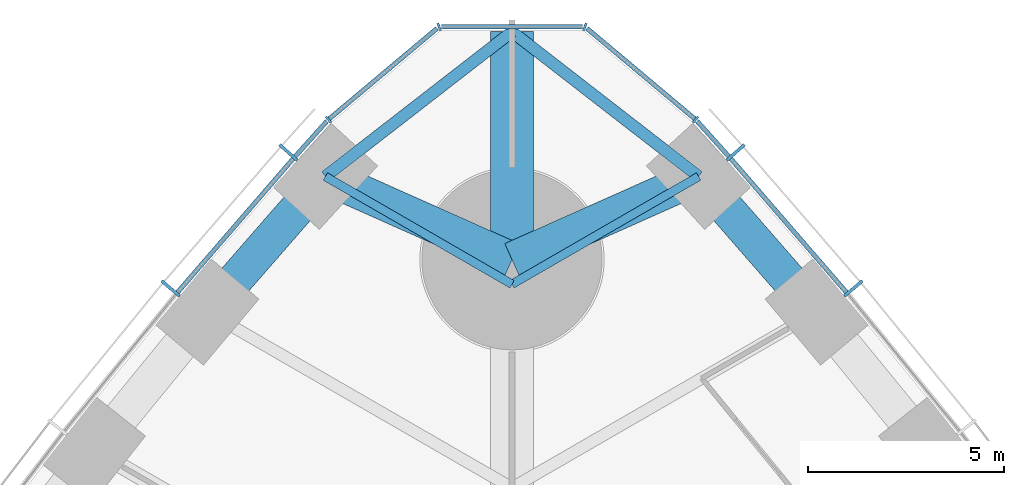
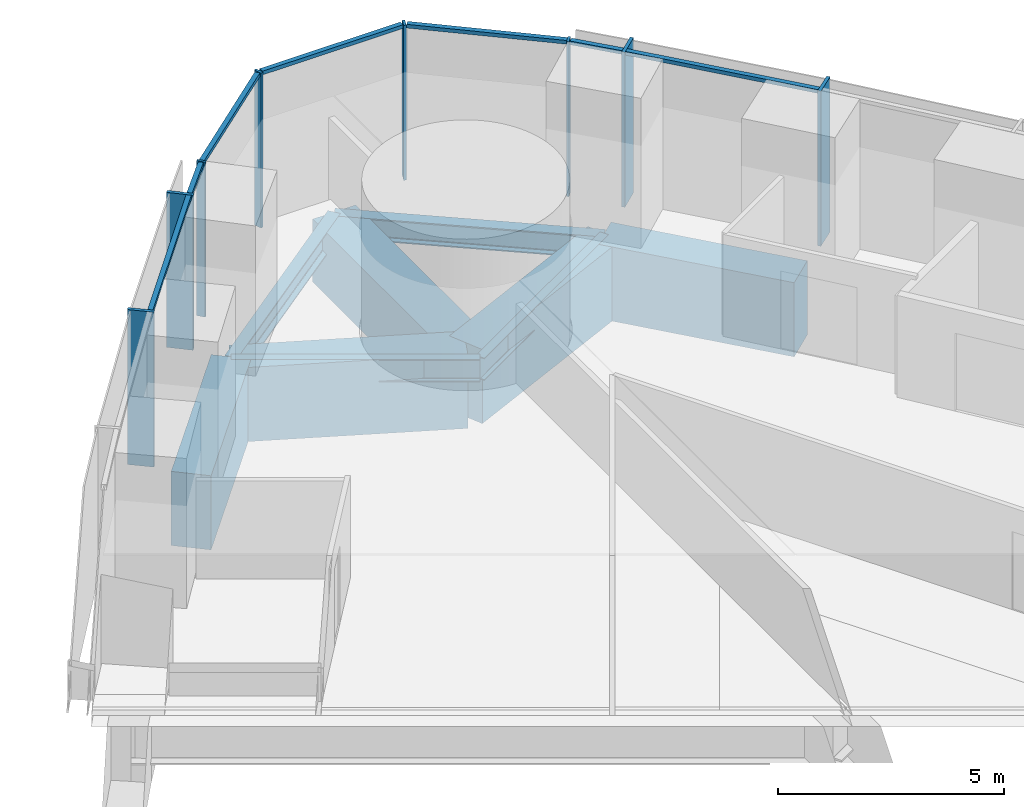
# One storey, part 7 of 18: 15 members, 9 beams, 3 elements without a shape of their own.
"""IFC4 building model written with IfcOpenShell, lengths in metres."""

import ifcopenshell
import ifcopenshell.guid

model = None  # the IFC model being written
_history = None  # IfcOwnerHistory: only IFC2X3 demands one
_inside = {}  # id of a spatial element -> (the spatial element, [elements in it])
_under = {}  # id of a project, library or spatial element -> (it, [spatial elements below it])
_declared = {}  # id of a project -> (the project, [libraries it declares])
_typed = {}  # id of a type object -> (the type object, [elements of that type])
_made_of = {}  # id of a material, layer set ... -> (it, [elements and type objects made of it])


def new_model(schema):
    """Start an empty IFC model of exactly this schema.

    Asked for "IFC4X3", IfcOpenShell would pick the latest addendum, in which some entities
    have other attributes; the version numbers below select the first issue.
    IFC2X3 requires an IfcOwnerHistory on every rooted entity: one is made here for all.
    """
    global model, _history
    if schema == "IFC4X3":
        model = ifcopenshell.file(schema_version=(4, 3, 0, 0))
    else:
        model = ifcopenshell.file(schema=schema)
    _inside.clear()
    _under.clear()
    _declared.clear()
    _typed.clear()
    _made_of.clear()
    _history = None
    if model.schema == "IFC2X3":
        org = make("IfcOrganization", Name="unknown")
        user = make(
            "IfcPersonAndOrganization",
            ThePerson=make("IfcPerson", FamilyName="unknown"),
            TheOrganization=org,
        )
        app = make(
            "IfcApplication",
            ApplicationDeveloper=org,
            Version="unknown",
            ApplicationFullName="unknown",
            ApplicationIdentifier="unknown",
        )
        _history = make(
            "IfcOwnerHistory",
            OwningUser=user,
            OwningApplication=app,
            ChangeAction="ADDED",
            CreationDate=0,
        )
    return model


def make(cls, **values):
    """One entity of the class cls with the attributes given. An attribute that is None is left unset."""
    return model.create_entity(
        cls, **{name: value for name, value in values.items() if value is not None}
    )


def rooted(cls, **values):
    """An entity with a GlobalId (a new one), such as an element, a storey or a relation."""
    return make(cls, GlobalId=ifcopenshell.guid.new(), OwnerHistory=_history, **values)


def si_unit(unit_type, name, prefix=None):
    """IfcSIUnit, for example si_unit("LENGTHUNIT", "METRE", prefix="MILLI")."""
    return make("IfcSIUnit", UnitType=unit_type, Prefix=prefix, Name=name)


def assignment(units):
    """IfcUnitAssignment: the units of a project."""
    return None if units is None else make("IfcUnitAssignment", Units=units)


def point(xyz):
    """IfcCartesianPoint."""
    return None if xyz is None else make("IfcCartesianPoint", Coordinates=xyz)


def direction(xyz):
    """IfcDirection."""
    return None if xyz is None else make("IfcDirection", DirectionRatios=xyz)


def frame(location, z_axis=None, x_axis=None):
    """IfcAxis2Placement3D, a coordinate frame: its origin and axes. An axis left out is left unset."""
    return make(
        "IfcAxis2Placement3D",
        Location=point(location),
        Axis=direction(z_axis),
        RefDirection=direction(x_axis),
    )


def frame_2d(location, x_axis=None):
    """IfcAxis2Placement2D, a coordinate frame in the plane: its origin and x axis."""
    return make(
        "IfcAxis2Placement2D", Location=point(location), RefDirection=direction(x_axis)
    )


def origin():
    """The frame at (0, 0, 0) with its axes left unset."""
    return frame((0.0, 0.0, 0.0))


def origin_2d():
    """The frame at (0, 0) in the plane with its x axis left unset."""
    return frame_2d((0.0, 0.0))


def place(relative_to, where):
    """IfcLocalPlacement: puts the frame where relative to a parent placement (None: the world)."""
    return make(
        "IfcLocalPlacement", PlacementRelTo=relative_to, RelativePlacement=where
    )


def context(
    kind, dimensions, precision=None, world=None, true_north=None, identifier=None
):
    """IfcGeometricRepresentationContext, for example the 3D "Model" context."""
    return make(
        "IfcGeometricRepresentationContext",
        ContextIdentifier=identifier,
        ContextType=kind,
        CoordinateSpaceDimension=dimensions,
        Precision=precision,
        WorldCoordinateSystem=world,
        TrueNorth=true_north,
    )


def subcontext(parent, identifier, kind, view, scale=None):
    """IfcGeometricRepresentationSubContext, for example "Body" below "Model"."""
    return make(
        "IfcGeometricRepresentationSubContext",
        ContextIdentifier=identifier,
        ContextType=kind,
        ParentContext=parent,
        TargetScale=scale,
        TargetView=view,
    )


def project(units=None, contexts=None):
    """IfcProject with its units and contexts."""
    return rooted(
        "IfcProject",
        Name="project",
        RepresentationContexts=contexts,
        UnitsInContext=assignment(units),
    )


def spatial(cls, under=None, at=None, **own):
    """A site, building, storey or space (cls), placed at a placement, below another one or the project."""
    s = rooted(cls, ObjectPlacement=at, **own)
    if under is not None:
        _under.setdefault(under.id(), (under, []))[1].append(s)
    return s


def profile(cls, at=None, kind="AREA", **sizes):
    """A parametric profile (cls). Its sizes go by their IFC names, for example OverallWidth=200.0."""
    return make(cls, ProfileType=kind, Position=at, **sizes)


def rectangle(**sizes):
    """IfcRectangleProfileDef."""
    return profile("IfcRectangleProfileDef", **sizes)


def i_section(**sizes):
    """IfcIShapeProfileDef."""
    return profile("IfcIShapeProfileDef", **sizes)


def extrude(swept, where, along, depth):
    """IfcExtrudedAreaSolid: the profile swept, set in the frame where, extruded along a direction by depth."""
    return make(
        "IfcExtrudedAreaSolid",
        SweptArea=swept,
        Position=where,
        ExtrudedDirection=direction(along),
        Depth=depth,
    )


def shape(context_of_items, identifier, shape_type, items):
    """IfcShapeRepresentation: the items that make up one representation, for example the "Body"."""
    return make(
        "IfcShapeRepresentation",
        ContextOfItems=context_of_items,
        RepresentationIdentifier=identifier,
        RepresentationType=shape_type,
        Items=items,
    )


def material(Name=None, Category=None):
    """IfcMaterial."""
    return make("IfcMaterial", Name=Name, Category=Category)


def material_profile(
    of_material, cross_section, Name=None, Category=None, Priority=None
):
    """IfcMaterialProfile: a cross section and its material."""
    return make(
        "IfcMaterialProfile",
        Name=Name,
        Material=of_material,
        Profile=cross_section,
        Priority=Priority,
        Category=Category,
    )


def profile_set(profiles, Name=None, composite=None):
    """IfcMaterialProfileSet."""
    return make(
        "IfcMaterialProfileSet",
        Name=Name,
        MaterialProfiles=profiles,
        CompositeProfile=composite,
    )


def made_of(thing, what):
    """Note that an element or type object is made of a material, layer set ...; save() writes the relation."""
    if what is not None:
        _made_of.setdefault(what.id(), (what, []))[1].append(thing)
    return thing


def type_object(cls, material=None, **own):
    """A type object (cls), such as IfcWallType, which elements share."""
    return made_of(rooted(cls, **own), material)


def element(
    cls,
    number,
    at=None,
    inside=None,
    cuts=None,
    type_object=None,
    material=None,
    context=None,
    identifier="Body",
    shape_type=None,
    held_by="IfcProductDefinitionShape",
    body=None,
    shapes=None,
    **own,
):
    """One element of the class cls, such as IfcWall. Its Tag is "e" and its number.

    at: its placement. inside: the storey or other place that contains it. cuts: it is an
    opening in that element (IfcRelVoidsElement). A single representation is given by context,
    identifier, shape_type and body (its items); several are given by shapes. held_by: the class
    of the entity that holds the representations. save() writes the other relations.
    """
    e = rooted(cls, Tag="e%d" % number, ObjectPlacement=at, **own)
    if body is not None:
        shapes = [shape(context, identifier, shape_type, body)]
    if shapes is not None:
        e.Representation = make(held_by, Representations=shapes)
    if inside is not None:
        _inside.setdefault(inside.id(), (inside, []))[1].append(e)
    if cuts is not None:
        rooted(
            "IfcRelVoidsElement", RelatingBuildingElement=cuts, RelatedOpeningElement=e
        )
    if type_object is not None:
        _typed.setdefault(type_object.id(), (type_object, []))[1].append(e)
    return made_of(e, material)


def aggregate(whole, parts):
    """IfcRelAggregates: a whole, such as a stair, and the parts it consists of."""
    return rooted("IfcRelAggregates", RelatingObject=whole, RelatedObjects=parts)


def save(model, path):
    """Write the relations noted so far, then the file.

    IfcRelAggregates (storeys below a building ...), IfcRelContainedInSpatialStructure (elements
    in a storey), IfcRelDefinesByType, IfcRelAssociatesMaterial and IfcRelDeclares: one each for
    every whole, place, type object, material and project.
    """
    for whole, parts in _under.values():
        aggregate(whole, parts)
    for where, things in _inside.values():
        rooted(
            "IfcRelContainedInSpatialStructure",
            RelatedElements=things,
            RelatingStructure=where,
        )
    for kind, things in _typed.values():
        rooted("IfcRelDefinesByType", RelatedObjects=things, RelatingType=kind)
    for what, things in _made_of.values():
        rooted("IfcRelAssociatesMaterial", RelatedObjects=things, RelatingMaterial=what)
    for by, libraries in _declared.values():
        rooted("IfcRelDeclares", RelatingContext=by, RelatedDefinitions=libraries)
    model.write(path)


model = new_model("IFC4")

# Units and contexts
model_context = context("Model", 3, precision=1e-05, world=origin(), true_north=direction((0.0, 1.0)))
body_context = subcontext(model_context, "Body", "Model", "MODEL_VIEW")
ifc_project = project(units=[si_unit("LENGTHUNIT", "METRE"), si_unit("AREAUNIT", "SQUARE_METRE"), si_unit("VOLUMEUNIT", "CUBIC_METRE"), si_unit("PLANEANGLEUNIT", "RADIAN"), si_unit("MASSUNIT", "GRAM", prefix="KILO")], contexts=[model_context])

# Site, building, storey
site_placement = place(None, origin())
site = spatial("IfcSite", under=ifc_project, at=site_placement, CompositionType="ELEMENT")
building_placement = place(site_placement, origin())
building = spatial("IfcBuilding", under=site, at=building_placement, Name="Trefoil Bronze Tower", CompositionType="ELEMENT")
storey_placement = place(building_placement, frame((0.0, 0.0, 75.300048828125)))
storey = spatial("IfcBuildingStorey", under=building, at=storey_placement, Name="L17", CompositionType="ELEMENT", Elevation=75.300048828125)

# Curtain wall, members
ifc_material_1 = material(Name="Tinted solar-control glass", Category="glass")
curtain_wall_type_1 = type_object("IfcCurtainWallType", Name="Bronze office curtain wall", PredefinedType="USERDEFINED", material=ifc_material_1)
curtain_wall_1_placement = place(storey_placement, origin())
curtain_wall_1 = element("IfcCurtainWall", 1, at=curtain_wall_1_placement, inside=storey, type_object=curtain_wall_type_1, Name="CW-A L17 F2", ObjectType="CURTAIN WALL", PredefinedType="USERDEFINED")
ifc_material_2 = material(Name="Bronze-finish aluminium", Category="aluminium")
ifc_material_profile_1 = material_profile(ifc_material_2, rectangle(XDim=0.60009765625, YDim=0.080078125, at=origin_2d()), Name="CW-A mullion")
ifc_profile_set_1 = profile_set([ifc_material_profile_1], Name="Bronze-finish aluminium")
member_type_1 = type_object("IfcMemberType", Name="Bronze office curtain wall mullion", PredefinedType="MULLION", material=ifc_profile_set_1)
member_1_placement = place(storey_placement, frame((8.709716796875, 36.265869140625, 0.0), z_axis=(0.0, 0.0, 1.0), x_axis=(-0.765729101889, -0.643163231629, 0.0)))
member_1 = element("IfcMember", 2, at=member_1_placement, type_object=member_type_1, Name="CW-A L17 F2 mullion 15", PredefinedType="MULLION", context=body_context, shape_type="SweptSolid", body=[
    extrude(rectangle(XDim=0.60009765625, YDim=0.080078125, at=origin_2d()), origin(), (0.0, 0.0, 1.0), 4.179931640625),
])
member_2_placement = place(storey_placement, frame((5.70654296875, 39.736328125, 0.0), z_axis=(0.0, 0.0, 1.0), x_axis=(-0.7499405861, -0.661505190698, 0.0)))
member_2 = element("IfcMember", 3, at=member_2_placement, type_object=member_type_1, Name="CW-A L17 F2 mullion 16", PredefinedType="MULLION", context=body_context, shape_type="SweptSolid", body=[
    extrude(rectangle(XDim=0.60009765625, YDim=0.080078125, at=origin_2d()), origin(), (0.0, 0.0, 1.0), 4.179931640625),
])

curtain_wall_2_placement = place(storey_placement, origin())
curtain_wall_2 = element("IfcCurtainWall", 4, at=curtain_wall_2_placement, inside=storey, type_object=curtain_wall_type_1, Name="CW-A L17 F3", ObjectType="CURTAIN WALL", PredefinedType="USERDEFINED")
member_3_placement = place(storey_placement, frame((-5.70654296875, 39.736328125, 0.0), z_axis=(0.0, 0.0, 1.0), x_axis=(0.7499405861, -0.661505190698, 0.0)))
member_3 = element("IfcMember", 5, at=member_3_placement, type_object=member_type_1, Name="CW-A L17 F3 mullion 2", PredefinedType="MULLION", context=body_context, shape_type="SweptSolid", body=[
    extrude(rectangle(XDim=0.60009765625, YDim=0.080078125, at=origin_2d()), origin(), (0.0, 0.0, 1.0), 4.179931640625),
])
member_4_placement = place(storey_placement, frame((-8.709716796875, 36.265869140625, 0.0), z_axis=(0.0, 0.0, 1.0), x_axis=(0.765729101889, -0.643163231629, 0.0)))
member_4 = element("IfcMember", 6, at=member_4_placement, type_object=member_type_1, Name="CW-A L17 F3 mullion 3", PredefinedType="MULLION", context=body_context, shape_type="SweptSolid", body=[
    extrude(rectangle(XDim=0.60009765625, YDim=0.080078125, at=origin_2d()), origin(), (0.0, 0.0, 1.0), 4.179931640625),
])

# Member
ifc_material_3 = material(Name="Bronze-finish aluminium", Category="aluminium")
ifc_material_profile_2 = material_profile(ifc_material_3, rectangle(XDim=0.1201171875, YDim=0.10009765625, at=origin_2d()), Name="CW-A transom")
ifc_profile_set_2 = profile_set([ifc_material_profile_2], Name="Bronze-finish aluminium")
member_type_2 = type_object("IfcMemberType", Name="Bronze office curtain wall transom", PredefinedType="USERDEFINED", material=ifc_profile_set_2)
member_5_placement = place(storey_placement, frame((8.529541015625, 36.16845703125, 4.1298828125), z_axis=(-0.654383303203, 0.75616300656, 0.0), x_axis=(-0.75616300656, -0.654383303203, 0.0)))
member_5 = element("IfcMember", 7, at=member_5_placement, type_object=member_type_2, Name="CW-A L17 F2 transom 15", ObjectType="TRANSOM", PredefinedType="USERDEFINED", context=body_context, shape_type="SweptSolid", body=[
    extrude(rectangle(XDim=0.1201171875, YDim=0.10009765625, at=origin_2d()), origin(), (0.0, 0.0, 1.0), 4.50244140625),
])

member_6_placement = place(storey_placement, frame((5.529052734375, 39.634521484375, 4.1298828125), z_axis=(-0.66858567461, 0.743635122695, 0.0), x_axis=(-0.743635122695, -0.66858567461, 0.0)))
member_6 = element("IfcMember", 8, at=member_6_placement, type_object=member_type_2, Name="CW-A L17 F2 transom 16", ObjectType="TRANSOM", PredefinedType="USERDEFINED", context=body_context, shape_type="SweptSolid", body=[
    extrude(rectangle(XDim=0.1201171875, YDim=0.10009765625, at=origin_2d()), origin(), (0.0, 0.0, 1.0), 1.210205078125),
])

aggregate(curtain_wall_1, [member_1, member_2, member_5, member_6])

member_7_placement = place(storey_placement, frame((-4.719970703125, 40.534423828125, 4.1298828125), z_axis=(-0.66858567461, -0.743635122695, 0.0), x_axis=(0.743635122695, -0.66858567461, 0.0)))
member_7 = element("IfcMember", 9, at=member_7_placement, type_object=member_type_2, Name="CW-A L17 F3 transom 1", ObjectType="TRANSOM", PredefinedType="USERDEFINED", context=body_context, shape_type="SweptSolid", body=[
    extrude(rectangle(XDim=0.1201171875, YDim=0.10009765625, at=origin_2d()), origin(), (0.0, 0.0, 1.0), 1.210205078125),
])

member_8_placement = place(storey_placement, frame((-5.583251953125, 39.572998046875, 4.1298828125), z_axis=(-0.654383303203, -0.75616300656, 0.0), x_axis=(0.75616300656, -0.654383303203, 0.0)))
member_8 = element("IfcMember", 10, at=member_8_placement, type_object=member_type_2, Name="CW-A L17 F3 transom 2", ObjectType="TRANSOM", PredefinedType="USERDEFINED", context=body_context, shape_type="SweptSolid", body=[
    extrude(rectangle(XDim=0.1201171875, YDim=0.10009765625, at=origin_2d()), origin(), (0.0, 0.0, 1.0), 4.50244140625),
])

aggregate(curtain_wall_2, [member_3, member_4, member_7, member_8])

# Curtain wall, members
ifc_material_4 = material(Name="Tinted solar-control glass", Category="glass")
curtain_wall_type_2 = type_object("IfcCurtainWallType", Name="Bronze rounded corner curtain wall", PredefinedType="USERDEFINED", material=ifc_material_4)
curtain_wall_3_placement = place(storey_placement, origin())
curtain_wall_3 = element("IfcCurtainWall", 11, at=curtain_wall_3_placement, inside=storey, type_object=curtain_wall_type_2, Name="CW-B L17 K2", ObjectType="CURTAIN WALL", PredefinedType="USERDEFINED")
ifc_material_5 = material(Name="Bronze-finish aluminium", Category="aluminium")
ifc_material_profile_3 = material_profile(ifc_material_5, rectangle(XDim=0.199951171875, YDim=0.06005859375, at=origin_2d()), Name="CW-B mullion")
ifc_profile_set_3 = profile_set([ifc_material_profile_3], Name="Bronze-finish aluminium")
member_type_3 = type_object("IfcMemberType", Name="Bronze rounded corner curtain wall mullion", PredefinedType="MULLION", material=ifc_profile_set_3)
member_9_placement = place(storey_placement, frame((4.68310546875, 40.573974609375, 0.0), z_axis=(0.0, 0.0, 1.0), x_axis=(-0.642787609687, -0.766044443119, 0.0)))
member_9 = element("IfcMember", 12, at=member_9_placement, type_object=member_type_3, Name="CW-B L17 K2 mullion 1", PredefinedType="MULLION", context=body_context, shape_type="SweptSolid", body=[
    extrude(rectangle(XDim=0.199951171875, YDim=0.06005859375, at=origin_2d()), origin(), (0.0, 0.0, 1.0), 4.179931640625),
])
member_10_placement = place(storey_placement, frame((1.8583984375, 42.9365234375, 0.0), z_axis=(0.0, 0.0, 1.0), x_axis=(-0.342020143326, -0.939692620786, 0.0)))
member_10 = element("IfcMember", 13, at=member_10_placement, type_object=member_type_3, Name="CW-B L17 K2 mullion 2", PredefinedType="MULLION", context=body_context, shape_type="SweptSolid", body=[
    extrude(rectangle(XDim=0.199951171875, YDim=0.06005859375, at=origin_2d()), origin(), (0.0, 0.0, 1.0), 4.179931640625),
])
member_11_placement = place(storey_placement, frame((-1.8583984375, 42.9365234375, 0.0), z_axis=(0.0, 0.0, 1.0), x_axis=(0.342020143326, -0.939692620786, 0.0)))
member_11 = element("IfcMember", 14, at=member_11_placement, type_object=member_type_3, Name="CW-B L17 K2 mullion 3", PredefinedType="MULLION", context=body_context, shape_type="SweptSolid", body=[
    extrude(rectangle(XDim=0.199951171875, YDim=0.06005859375, at=origin_2d()), origin(), (0.0, 0.0, 1.0), 4.179931640625),
])
member_12_placement = place(storey_placement, frame((-4.68310546875, 40.573974609375, 0.0), z_axis=(0.0, 0.0, 1.0), x_axis=(0.642787609687, -0.766044443119, 0.0)))
member_12 = element("IfcMember", 15, at=member_12_placement, type_object=member_type_3, Name="CW-B L17 K2 mullion 4", PredefinedType="MULLION", context=body_context, shape_type="SweptSolid", body=[
    extrude(rectangle(XDim=0.199951171875, YDim=0.06005859375, at=origin_2d()), origin(), (0.0, 0.0, 1.0), 4.179931640625),
])
ifc_material_6 = material(Name="Bronze-finish aluminium", Category="aluminium")
ifc_material_profile_4 = material_profile(ifc_material_6, rectangle(XDim=0.1201171875, YDim=0.10009765625, at=origin_2d()), Name="CW-B transom")
ifc_profile_set_4 = profile_set([ifc_material_profile_4], Name="Bronze-finish aluminium")
member_type_4 = type_object("IfcMemberType", Name="Bronze rounded corner curtain wall transom", PredefinedType="USERDEFINED", material=ifc_profile_set_4)
member_13_placement = place(storey_placement, frame((4.66015625, 40.59326171875, 4.1298828125), z_axis=(-0.766058606238, 0.642770730361, 0.0), x_axis=(-0.642770730361, -0.766058606238, 0.0)))
member_13 = element("IfcMember", 16, at=member_13_placement, type_object=member_type_4, Name="CW-B L17 K2 transom 1", ObjectType="TRANSOM", PredefinedType="USERDEFINED", context=body_context, shape_type="SweptSolid", body=[
    extrude(rectangle(XDim=0.1201171875, YDim=0.10009765625, at=origin_2d()), origin(), (0.0, 0.0, 1.0), 3.588134765625),
])
member_14_placement = place(storey_placement, frame((1.794189453125, 42.9423828125, 4.1298828125), z_axis=(-1.0, 0.0, 0.0), x_axis=(0.0, -1.0, 0.0)))
member_14 = element("IfcMember", 17, at=member_14_placement, type_object=member_type_4, Name="CW-B L17 K2 transom 2", ObjectType="TRANSOM", PredefinedType="USERDEFINED", context=body_context, shape_type="SweptSolid", body=[
    extrude(rectangle(XDim=0.1201171875, YDim=0.10009765625, at=origin_2d()), origin(), (0.0, 0.0, 1.0), 3.58837890625),
])
member_15_placement = place(storey_placement, frame((-1.911376953125, 42.899658203125, 4.1298828125), z_axis=(-0.766058606238, -0.642770730361, 0.0), x_axis=(0.642770730361, -0.766058606238, 0.0)))
member_15 = element("IfcMember", 18, at=member_15_placement, type_object=member_type_4, Name="CW-B L17 K2 transom 3", ObjectType="TRANSOM", PredefinedType="USERDEFINED", context=body_context, shape_type="SweptSolid", body=[
    extrude(rectangle(XDim=0.1201171875, YDim=0.10009765625, at=origin_2d()), origin(), (0.0, 0.0, 1.0), 3.588134765625),
])
aggregate(curtain_wall_3, [member_9, member_10, member_11, member_12, member_13, member_14, member_15])

# Beams
ifc_material_7 = material(Name="Concrete B80", Category="concrete")
ifc_material_profile_5 = material_profile(ifc_material_7, rectangle(XDim=1.10009765625, YDim=1.699951171875, at=origin_2d()), Name="RC 1100x1700")
ifc_profile_set_5 = profile_set([ifc_material_profile_5], Name="Concrete B80")
beam_type_1 = type_object("IfcBeamType", Name="Corner cantilever RC 1100x1700", PredefinedType="BEAM", material=ifc_profile_set_5)
beam_placement = place(storey_placement, frame((0.0, 37.0, -1.050048828125), z_axis=(0.0, 1.0, 0.0), x_axis=(-1.0, 0.0, 0.0)))
element("IfcBeam", 19, at=beam_placement, inside=storey, type_object=beam_type_1, Name="Corner cantilever K2 L17", PredefinedType="BEAM", context=body_context, shape_type="SweptSolid", body=[
    extrude(rectangle(XDim=1.10009765625, YDim=1.699951171875, at=origin_2d()), origin(), (0.0, 0.0, 1.0), 5.814208984375),
])
ifc_material_8 = material(Name="Steel C355", Category="steel")
ifc_material_profile_6 = material_profile(ifc_material_8, i_section(OverallWidth=0.300048828125, OverallDepth=0.60009765625, WebThickness=0.015380859375, FlangeThickness=0.030029296875, FilletRadius=0.027099609375, at=origin_2d()), Name="HEB 600")
ifc_profile_set_6 = profile_set([ifc_material_profile_6], Name="Steel C355")
beam_type_2 = type_object("IfcBeamType", Name="Corner edge beam HEB 600", PredefinedType="BEAM", material=ifc_profile_set_6)
for number, where, z_axis, x_axis, name in (
    (20, (4.76171875, 39.122314453125, -0.5), (-0.790289474622, 0.612733666696, 0.0), (-0.612733666696, -0.790289474622, 0.0), "Corner edge beam F2A L17"),
    (21, (-4.76171875, 39.122314453125, -0.5), (0.790289474622, 0.612733666696, 0.0), (-0.612733666696, 0.790289474622, 0.0), "Corner edge beam F3B L17"),
):
    element("IfcBeam", number, at=place(storey_placement, frame(where, z_axis=z_axis, x_axis=x_axis)), inside=storey, type_object=beam_type_2, Name=name, PredefinedType="BEAM", context=body_context, shape_type="SweptSolid", body=[
        extrude(i_section(OverallWidth=0.300048828125, OverallDepth=0.60009765625, WebThickness=0.015380859375, FlangeThickness=0.030029296875, FilletRadius=0.027099609375, at=origin_2d()), origin(), (0.0, 0.0, 1.0), 6.025390625),
    ])
ifc_material_9 = material(Name="Concrete B80", Category="concrete")
ifc_material_profile_7 = material_profile(ifc_material_9, rectangle(XDim=0.89990234375, YDim=2.0, at=origin_2d()), Name="RC 900x2000")
ifc_profile_set_7 = profile_set([ifc_material_profile_7], Name="Concrete B80")
beam_type_3 = type_object("IfcBeamType", Name="End spandrel beam RC 900x2000", PredefinedType="SPANDREL", material=ifc_profile_set_7)
for number, where, z_axis, x_axis, name in (
    (22, (4.76171875, 39.122314453125, -1.199951171875), (-0.913384257879, -0.407098510754, 0.0), (0.407098510754, -0.913384257879, 0.0), "Spandrel F2.16 L17"),
    (23, (0.0, 37.0, -1.199951171875), (-0.913384257879, 0.407098510754, 0.0), (-0.407098510754, -0.913384257879, 0.0), "Spandrel F3.1 L17"),
):
    element("IfcBeam", number, at=place(storey_placement, frame(where, z_axis=z_axis, x_axis=x_axis)), inside=storey, type_object=beam_type_3, Name=name, PredefinedType="SPANDREL", context=body_context, shape_type="SweptSolid", body=[
        extrude(rectangle(XDim=0.89990234375, YDim=2.0, at=origin_2d()), origin(), (0.0, 0.0, 1.0), 5.21337890625),
    ])
ifc_material_10 = material(Name="Steel C355", Category="steel")
ifc_material_profile_8 = material_profile(ifc_material_10, i_section(OverallWidth=0.219970703125, OverallDepth=0.60009765625, WebThickness=0.011962890625, FlangeThickness=0.01904296875, FilletRadius=0.02392578125, at=origin_2d()), Name="IPE 600")
ifc_profile_set_8 = profile_set([ifc_material_profile_8], Name="Steel C355")
beam_type_4 = type_object("IfcBeamType", Name="Floor beam IPE 600", PredefinedType="BEAM", material=ifc_profile_set_8)
for number, where, z_axis, x_axis, name in (
    (24, (4.76171875, 39.122314453125, -0.5), (-0.866018475376, -0.500012000164, 0.0), (0.500012000164, -0.866018475376, 0.0), "Floor beam F2/+7 L17"),
    (25, (-4.76171875, 39.122314453125, -0.5), (0.866018475376, -0.500012000164, 0.0), (0.500012000164, 0.866018475376, 0.0), "Floor beam F3/-7 L17"),
):
    element("IfcBeam", number, at=place(storey_placement, frame(where, z_axis=z_axis, x_axis=x_axis)), inside=storey, type_object=beam_type_4, Name=name, PredefinedType="BEAM", context=body_context, shape_type="SweptSolid", body=[
        extrude(i_section(OverallWidth=0.219970703125, OverallDepth=0.60009765625, WebThickness=0.011962890625, FlangeThickness=0.01904296875, FilletRadius=0.02392578125, at=origin_2d()), origin(), (0.0, 0.0, 1.0), 5.498291015625),
    ])
ifc_material_11 = material(Name="Concrete B80", Category="concrete")
ifc_material_profile_9 = material_profile(ifc_material_11, rectangle(XDim=0.89990234375, YDim=2.0, at=origin_2d()), Name="RC 900x2000")
ifc_profile_set_9 = profile_set([ifc_material_profile_9], Name="Concrete B80")
beam_type_5 = type_object("IfcBeamType", Name="Spandrel beam RC 900x2000", PredefinedType="SPANDREL", material=ifc_profile_set_9)
for number, where, z_axis, x_axis, name in (
    (26, (7.7763671875, 35.666748046875, -1.199951171875), (-0.657395767989, 0.753545489158, 0.0), (-0.753545489158, -0.657395767989, 0.0), "Spandrel F2.15 L17"),
    (27, (-4.76171875, 39.122314453125, -1.199951171875), (-0.657395767989, -0.753545489158, 0.0), (0.753545489158, -0.657395767989, 0.0), "Spandrel F3.2 L17"),
):
    element("IfcBeam", number, at=place(storey_placement, frame(where, z_axis=z_axis, x_axis=x_axis)), inside=storey, type_object=beam_type_5, Name=name, PredefinedType="SPANDREL", context=body_context, shape_type="SweptSolid", body=[
        extrude(rectangle(XDim=0.89990234375, YDim=2.0, at=origin_2d()), origin(), (0.0, 0.0, 1.0), 4.585693359375),
    ])

save(model, "model.ifc")
